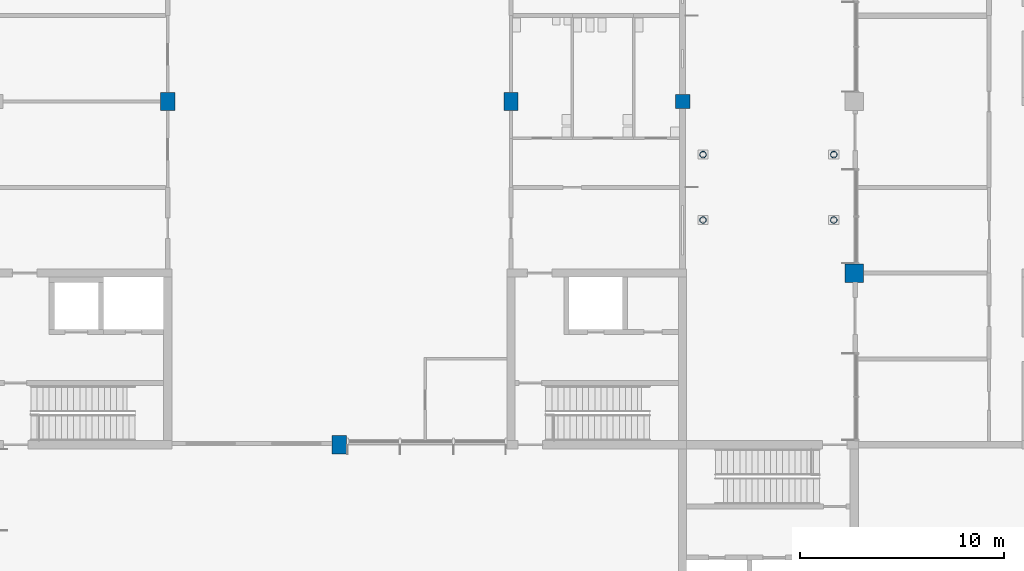
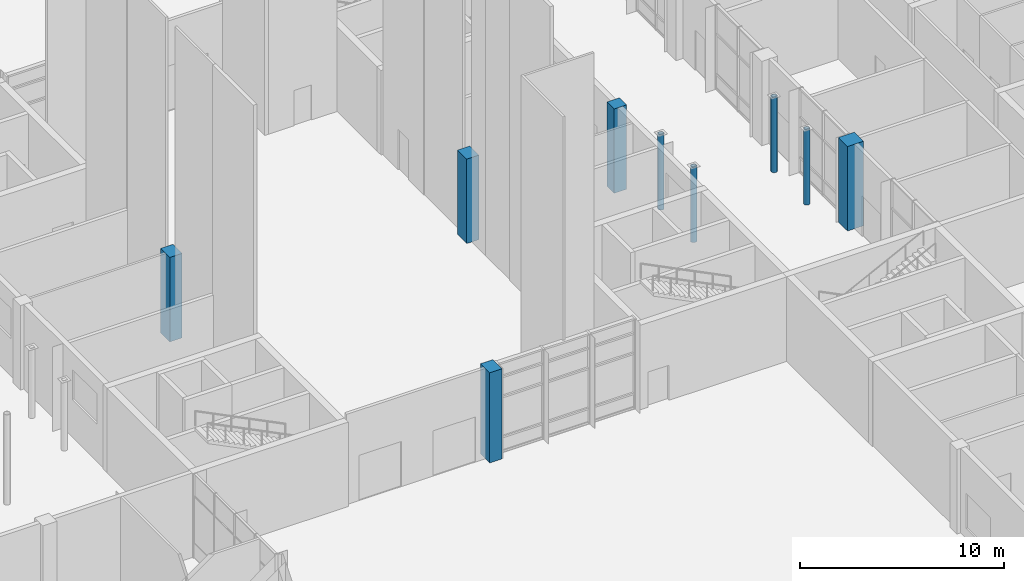
# One storey, part 7 of 76: 9 columns.
"""IFC4 building model written with IfcOpenShell, lengths in metres."""

from ifc_helpers import new_model, si_unit, direction, frame, origin, origin_2d, place, context, subcontext, project, spatial, rectangle, hollow_circle, extrude, material, material_profile, profile_set, type_object, element, save


model = new_model("IFC4")

# Units and contexts
model_context = context("Model", 3, precision=1e-05, world=origin(), true_north=direction((0.0, 1.0)))
body_context = subcontext(model_context, "Body", "Model", "MODEL_VIEW")
ifc_project = project(units=[si_unit("LENGTHUNIT", "METRE"), si_unit("AREAUNIT", "SQUARE_METRE"), si_unit("VOLUMEUNIT", "CUBIC_METRE"), si_unit("PLANEANGLEUNIT", "RADIAN"), si_unit("MASSUNIT", "GRAM", prefix="KILO")], contexts=[model_context])

# Site, building, storey
site_placement = place(None, origin())
site = spatial("IfcSite", under=ifc_project, at=site_placement, CompositionType="ELEMENT")
building_placement = place(site_placement, origin())
building = spatial("IfcBuilding", under=site, at=building_placement, Name="Hlaing Beacon Police Headquarters", CompositionType="ELEMENT")
storey_placement = place(building_placement, origin())
storey = spatial("IfcBuildingStorey", under=building, at=storey_placement, Name="L00", CompositionType="ELEMENT", Elevation=0.0)

# Columns
ifc_material_1 = material(Name="Concrete C50/60", Category="concrete")
ifc_material_profile_1 = material_profile(ifc_material_1, rectangle(XDim=0.699951171875, YDim=0.699951171875, at=origin_2d()), Name="700x700")
ifc_profile_set_1 = profile_set([ifc_material_profile_1], Name="Concrete C50/60")
column_type_1 = type_object("IfcColumnType", Name="RC column 700x700 C50/60", PredefinedType="COLUMN", material=ifc_profile_set_1)
column_1_placement = place(storey_placement, frame((92.39990234375, 50.39990234375, 0.0), z_axis=(0.0, 0.0, 1.0), x_axis=(1.0, 0.0, 0.0)))
element("IfcColumn", 1, at=column_1_placement, inside=storey, type_object=column_type_1, Name="STR-COL-L00-M7", PredefinedType="COLUMN", context=body_context, shape_type="SweptSolid", body=[
    extrude(rectangle(XDim=0.699951171875, YDim=0.699951171875, at=origin_2d()), origin(), (0.0, 0.0, 1.0), 5.050048828125),
])
ifc_material_2 = material(Name="Concrete C50/60", Category="concrete")
ifc_material_profile_2 = material_profile(ifc_material_2, rectangle(XDim=0.699951171875, YDim=0.89990234375, at=origin_2d()), Name="700x900")
ifc_profile_set_2 = profile_set([ifc_material_profile_2], Name="Concrete C50/60")
column_type_2 = type_object("IfcColumnType", Name="RC column 700x900 C50/60", PredefinedType="COLUMN", material=ifc_profile_set_2)
column_2_placement = place(storey_placement, frame((67.199951171875, 50.39990234375, 0.0), z_axis=(0.0, 0.0, 1.0), x_axis=(1.0, 0.0, 0.0)))
element("IfcColumn", 2, at=column_2_placement, inside=storey, type_object=column_type_2, Name="STR-COL-L00-J7", PredefinedType="COLUMN", context=body_context, shape_type="SweptSolid", body=[
    extrude(rectangle(XDim=0.699951171875, YDim=0.89990234375, at=origin_2d()), origin(), (0.0, 0.0, 1.0), 5.050048828125),
])
column_3_placement = place(storey_placement, frame((75.60009765625, 33.60009765625, 0.0), z_axis=(0.0, 0.0, 1.0), x_axis=(1.0, 0.0, 0.0)))
element("IfcColumn", 3, at=column_3_placement, inside=storey, type_object=column_type_2, Name="STR-COL-L00-K5", PredefinedType="COLUMN", context=body_context, shape_type="SweptSolid", body=[
    extrude(rectangle(XDim=0.699951171875, YDim=0.89990234375, at=origin_2d()), origin(), (0.0, 0.0, 1.0), 5.39990234375),
])
column_4_placement = place(storey_placement, frame((84.0, 50.39990234375, 0.0), z_axis=(0.0, 0.0, 1.0), x_axis=(1.0, 0.0, 0.0)))
element("IfcColumn", 4, at=column_4_placement, inside=storey, type_object=column_type_2, Name="STR-COL-L00-L7", PredefinedType="COLUMN", context=body_context, shape_type="SweptSolid", body=[
    extrude(rectangle(XDim=0.699951171875, YDim=0.89990234375, at=origin_2d()), origin(), (0.0, 0.0, 1.0), 5.050048828125),
])
ifc_material_3 = material(Name="Concrete C60/75", Category="concrete")
ifc_material_profile_3 = material_profile(ifc_material_3, rectangle(XDim=0.89990234375, YDim=0.89990234375, at=origin_2d()), Name="900x900")
ifc_profile_set_3 = profile_set([ifc_material_profile_3], Name="Concrete C60/75")
column_type_3 = type_object("IfcColumnType", Name="RC column 900x900 C60/75", PredefinedType="COLUMN", material=ifc_profile_set_3)
column_5_placement = place(storey_placement, frame((100.800048828125, 42.0, 0.0), z_axis=(0.0, 0.0, 1.0), x_axis=(1.0, 0.0, 0.0)))
element("IfcColumn", 5, at=column_5_placement, inside=storey, type_object=column_type_3, Name="STR-COL-L00-N6", PredefinedType="COLUMN", context=body_context, shape_type="SweptSolid", body=[
    extrude(rectangle(XDim=0.89990234375, YDim=0.89990234375, at=origin_2d()), origin(), (0.0, 0.0, 1.0), 5.050048828125),
])
ifc_material_4 = material(Name="Steel ASTM A500 Grade C", Category="steel")
ifc_material_profile_4 = material_profile(ifc_material_4, hollow_circle(Radius=0.161865234375, WallThickness=0.0126953125, at=origin_2d()), Name="HSS12.750x0.500")
ifc_profile_set_4 = profile_set([ifc_material_profile_4], Name="Steel ASTM A500 Grade C")
column_type_4 = type_object("IfcColumnType", Name="Steel column HSS12.750x0.500", PredefinedType="COLUMN", material=ifc_profile_set_4)
for number, where, z_axis, x_axis, name in (
    (6, (93.39990234375, 44.60009765625, 0.0), (0.0, 0.0, 1.0), (1.0, 0.0, 0.0), "STR-BG-BR2-PR1"),
    (7, (93.39990234375, 47.800048828125, 0.0), (0.0, 0.0, 1.0), (1.0, 0.0, 0.0), "STR-BG-BR2-PR2"),
    (8, (99.800048828125, 44.60009765625, 0.0), (0.0, 0.0, 1.0), (1.0, 0.0, 0.0), "STR-BG-BR2-PR3"),
    (9, (99.800048828125, 47.800048828125, 0.0), (0.0, 0.0, 1.0), (1.0, 0.0, 0.0), "STR-BG-BR2-PR4"),
):
    element("IfcColumn", number, at=place(storey_placement, frame(where, z_axis=z_axis, x_axis=x_axis)), inside=storey, type_object=column_type_4, Name=name, PredefinedType="COLUMN", context=body_context, shape_type="SweptSolid", body=[
        extrude(hollow_circle(Radius=0.161865234375, WallThickness=0.0126953125, at=origin_2d()), origin(), (0.0, 0.0, 1.0), 4.4951171875),
    ])

save(model, "model.ifc")
